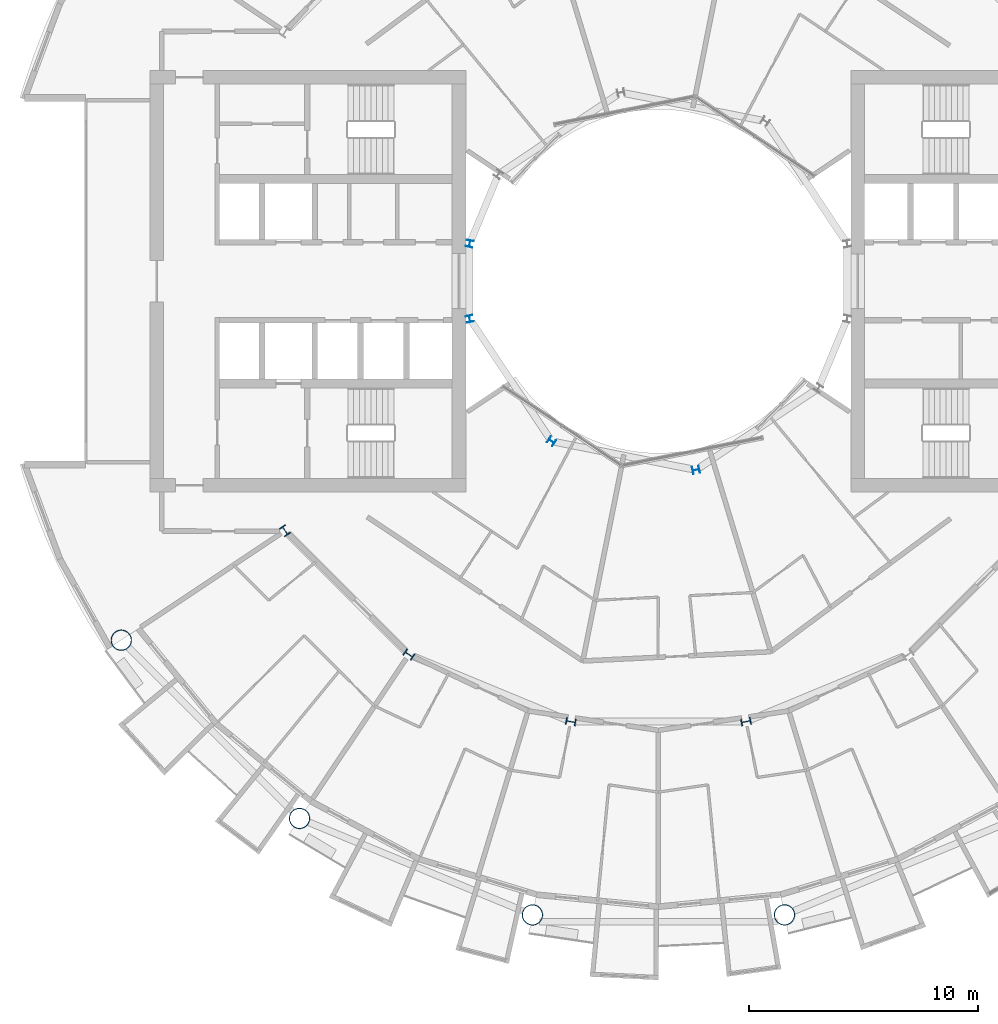
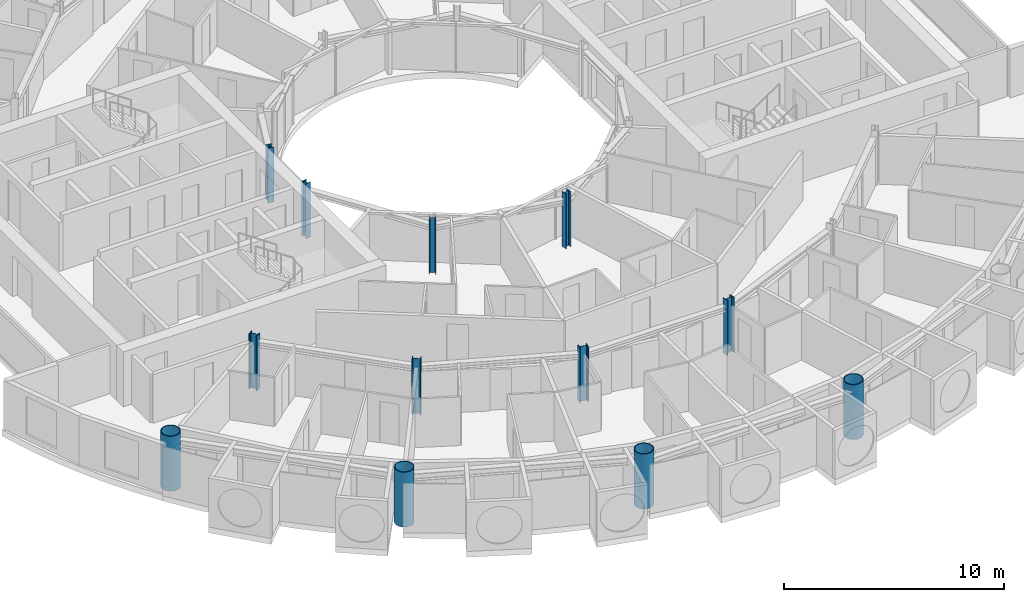
# One storey, part 1 of 27: 12 columns.
"""IFC4 building model written with IfcOpenShell, lengths in metres."""

from ifc_helpers import new_model, si_unit, direction, frame, origin, origin_2d, place, context, subcontext, project, spatial, hollow_circle, i_section, extrude, material, material_profile, profile_set, type_object, element, save


model = new_model("IFC4")

# Units and contexts
model_context = context("Model", 3, precision=1e-05, world=origin(), true_north=direction((0.0, 1.0)))
body_context = subcontext(model_context, "Body", "Model", "MODEL_VIEW")
ifc_project = project(units=[si_unit("LENGTHUNIT", "METRE"), si_unit("AREAUNIT", "SQUARE_METRE"), si_unit("VOLUMEUNIT", "CUBIC_METRE"), si_unit("PLANEANGLEUNIT", "RADIAN"), si_unit("MASSUNIT", "GRAM", prefix="KILO")], contexts=[model_context])

# Site, building, storey
site_placement = place(None, origin())
site = spatial("IfcSite", under=ifc_project, at=site_placement, CompositionType="ELEMENT")
building_placement = place(site_placement, origin())
building = spatial("IfcBuilding", under=site, at=building_placement, Name="Maasbend Ring Residences", CompositionType="ELEMENT")
storey_placement = place(building_placement, frame((0.0, 0.0, 126.89990234375)))
storey = spatial("IfcBuildingStorey", under=building, at=storey_placement, Name="L36", CompositionType="ELEMENT", Elevation=126.89990234375)

# Columns
ifc_material_1 = material(Name="Composite concrete-filled steel tube S460NH / C80/95", Category="concrete")
ifc_material_profile_1 = material_profile(ifc_material_1, hollow_circle(Radius=0.45703125, WallThickness=0.0400390625, at=origin_2d()), Name="Composite tube column CHS 914x40")
ifc_profile_set_1 = profile_set([ifc_material_profile_1], Name="Composite concrete-filled steel tube S460NH / C80/95")
column_type_1 = type_object("IfcColumnType", Name="Composite tube column CHS 914x40", PredefinedType="COLUMN", material=ifc_profile_set_1)
for number, where, z_axis, x_axis, name in (
    (1, (-23.447509765625, -15.6669921875, 0.0), (0.0, 0.0, 1.0), (1.0, 0.0, 0.0), "Outer column R10"),
    (2, (-15.6669921875, -23.447509765625, 0.0), (0.0, 0.0, 1.0), (1.0, 0.0, 0.0), "Outer column R11"),
    (3, (-5.50146484375, -27.658203125, 0.0), (0.0, 0.0, 1.0), (1.0, 0.0, 0.0), "Outer column R12"),
    (4, (5.50146484375, -27.658203125, 0.0), (0.0, 0.0, 1.0), (1.0, 0.0, 0.0), "Outer column R13"),
):
    element("IfcColumn", number, at=place(storey_placement, frame(where, z_axis=z_axis, x_axis=x_axis)), inside=storey, type_object=column_type_1, Name=name, PredefinedType="COLUMN", context=body_context, shape_type="SweptSolid", body=[
        extrude(hollow_circle(Radius=0.45703125, WallThickness=0.0400390625, at=origin_2d()), origin(), (0.0, 0.0, 1.0), 3.050048828125),
    ])
ifc_material_2 = material(Name="Steel S355J2", Category="steel")
ifc_material_profile_2 = material_profile(ifc_material_2, i_section(OverallWidth=0.300048828125, OverallDepth=0.300048828125, WebThickness=0.010986328125, FlangeThickness=0.01904296875, FilletRadius=0.027099609375, at=origin_2d()), Name="HEB 300")
ifc_profile_set_2 = profile_set([ifc_material_profile_2], Name="Steel S355J2")
column_type_2 = type_object("IfcColumnType", Name="Steel column HEB 300", PredefinedType="COLUMN", material=ifc_profile_set_2)
for number, where, z_axis, x_axis, name in (
    (5, (-8.238525390625, 1.638916015625, 0.0), (0.0, 0.0, 1.0), (-0.980785280403, 0.195090322016, 0.0), "Well ring column R8"),
    (6, (-8.238525390625, -1.638916015625, 0.0), (0.0, 0.0, 1.0), (-0.980785280403, -0.195090322016, 0.0), "Well ring column R9"),
    (7, (-4.666748046875, -6.984375, 0.0), (0.0, 0.0, 1.0), (-0.55557023302, -0.831469612303, 0.0), "Well ring column R11"),
    (8, (1.638916015625, -8.238525390625, 0.0), (0.0, 0.0, 1.0), (0.195090322016, -0.980785280403, 0.0), "Well ring column R13"),
):
    element("IfcColumn", number, at=place(storey_placement, frame(where, z_axis=z_axis, x_axis=x_axis)), inside=storey, type_object=column_type_2, Name=name, PredefinedType="COLUMN", context=body_context, shape_type="SweptSolid", body=[
        extrude(i_section(OverallWidth=0.300048828125, OverallDepth=0.300048828125, WebThickness=0.010986328125, FlangeThickness=0.01904296875, FilletRadius=0.027099609375, at=origin_2d()), origin(), (0.0, 0.0, 1.0), 3.050048828125),
    ])
ifc_material_3 = material(Name="Steel S460M", Category="steel")
ifc_material_profile_3 = material_profile(ifc_material_3, i_section(OverallWidth=0.306884765625, OverallDepth=0.431884765625, WebThickness=0.02099609375, FlangeThickness=0.0400390625, FilletRadius=0.027099609375, at=origin_2d()), Name="HEM 400")
ifc_profile_set_3 = profile_set([ifc_material_profile_3], Name="Steel S460M")
column_type_3 = type_object("IfcColumnType", Name="Steel column HEM 400", PredefinedType="COLUMN", material=ifc_profile_set_3)
for number, where, z_axis, x_axis, name in (
    (9, (-16.296875, -10.88916015625, 0.0), (0.0, 0.0, 1.0), (-0.831469612303, -0.55557023302, 0.0), "Corridor ring column R10"),
    (10, (-10.88916015625, -16.296875, 0.0), (0.0, 0.0, 1.0), (-0.55557023302, -0.831469612303, 0.0), "Corridor ring column R11"),
    (11, (-3.82373046875, -19.223388671875, 0.0), (0.0, 0.0, 1.0), (-0.195090322016, -0.980785280403, 0.0), "Corridor ring column R12"),
    (12, (3.82373046875, -19.223388671875, 0.0), (0.0, 0.0, 1.0), (0.195090322016, -0.980785280403, 0.0), "Corridor ring column R13"),
):
    element("IfcColumn", number, at=place(storey_placement, frame(where, z_axis=z_axis, x_axis=x_axis)), inside=storey, type_object=column_type_3, Name=name, PredefinedType="COLUMN", context=body_context, shape_type="SweptSolid", body=[
        extrude(i_section(OverallWidth=0.306884765625, OverallDepth=0.431884765625, WebThickness=0.02099609375, FlangeThickness=0.0400390625, FilletRadius=0.027099609375, at=origin_2d()), origin(), (0.0, 0.0, 1.0), 3.050048828125),
    ])

save(model, "model.ifc")
